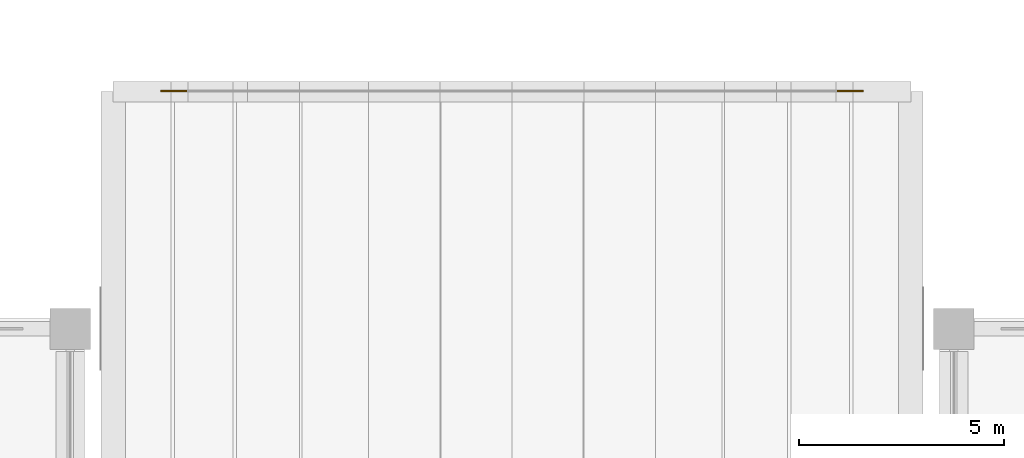
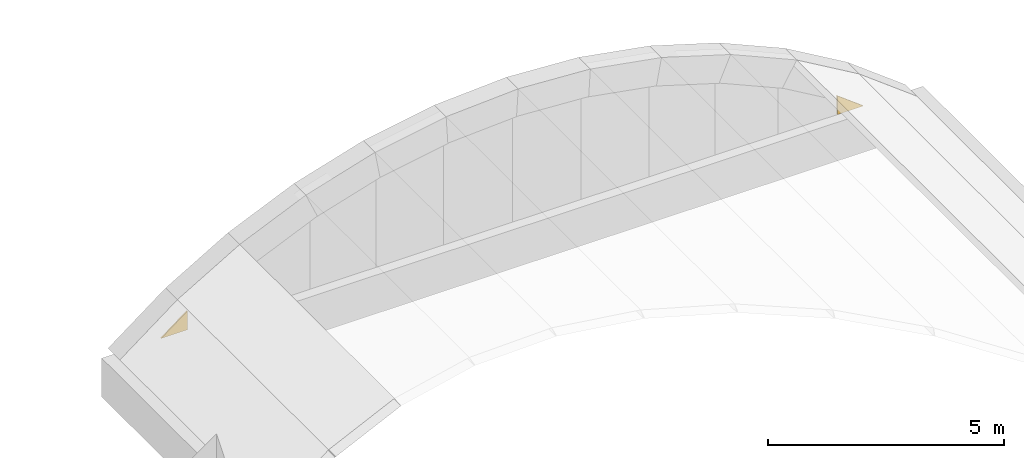
# One storey, part 45 of 45: 2 coverings.
"""IFC4 building model written with IfcOpenShell, lengths in metres."""

from ifc_helpers import new_model, si_unit, direction, frame, origin, place, context, subcontext, project, spatial, polyline, outline, extrude, material, layer, layer_set, type_object, element, save


model = new_model("IFC4")

# Units and contexts
model_context = context("Model", 3, precision=1e-05, world=origin(), true_north=direction((0.0, 1.0)))
body_context = subcontext(model_context, "Body", "Model", "MODEL_VIEW")
ifc_project = project(units=[si_unit("LENGTHUNIT", "METRE"), si_unit("AREAUNIT", "SQUARE_METRE"), si_unit("VOLUMEUNIT", "CUBIC_METRE"), si_unit("PLANEANGLEUNIT", "RADIAN"), si_unit("MASSUNIT", "GRAM", prefix="KILO")], contexts=[model_context])

# Site, building, storey
site_placement = place(None, origin())
site = spatial("IfcSite", under=ifc_project, at=site_placement, CompositionType="ELEMENT")
building_placement = place(site_placement, origin())
building = spatial("IfcBuilding", under=site, at=building_placement, Name="Basin Gate Institute", CompositionType="ELEMENT")
storey_placement = place(building_placement, frame((0.0, 0.0, 22.199951171875)))
storey = spatial("IfcBuildingStorey", under=building, at=storey_placement, Name="L04", CompositionType="ELEMENT", Elevation=22.199951171875)

# Coverings
ifc_material = material(Name="Laminated toughened glass", Category="glass")
ifc_layer = layer(ifc_material, 0.030029296875)
ifc_layer_set = layer_set([ifc_layer], Name="Atrium tympanum glazing PN88")
covering_type = type_object("IfcCoveringType", Name="Atrium tympanum glazing PN88", PredefinedType="ROOFING", material=ifc_layer_set)
covering_1_placement = place(storey_placement, frame((81.408935546875, 105.699951171875, 0.0), z_axis=(0.0, -1.0, 0.0), x_axis=(1.0, 0.0, 0.0)))
element("IfcCovering", 1, at=covering_1_placement, inside=storey, type_object=covering_type, material=ifc_layer_set, Name="Atrium tympanum glazing N 1", PredefinedType="ROOFING", context=body_context, shape_type="SweptSolid", body=[
    extrude(outline(polyline([(0.0, 0.0), (0.639892578125, 0.0), (0.639892578125, 0.485107421875), (0.0, 0.0)])), origin(), (0.0, 0.0, -1.0), 0.030029296875),
])
covering_2_placement = place(storey_placement, frame((97.951171875, 105.699951171875, 0.0), z_axis=(0.0, -1.0, 0.0), x_axis=(1.0, 0.0, 0.0)))
element("IfcCovering", 2, at=covering_2_placement, inside=storey, type_object=covering_type, material=ifc_layer_set, Name="Atrium tympanum glazing N 12", PredefinedType="ROOFING", context=body_context, shape_type="SweptSolid", body=[
    extrude(outline(polyline([(0.0, 0.0), (0.639892578125, 0.0), (0.0, 0.485107421875), (0.0, 0.0)])), origin(), (0.0, 0.0, -1.0), 0.030029296875),
])

save(model, "model.ifc")
